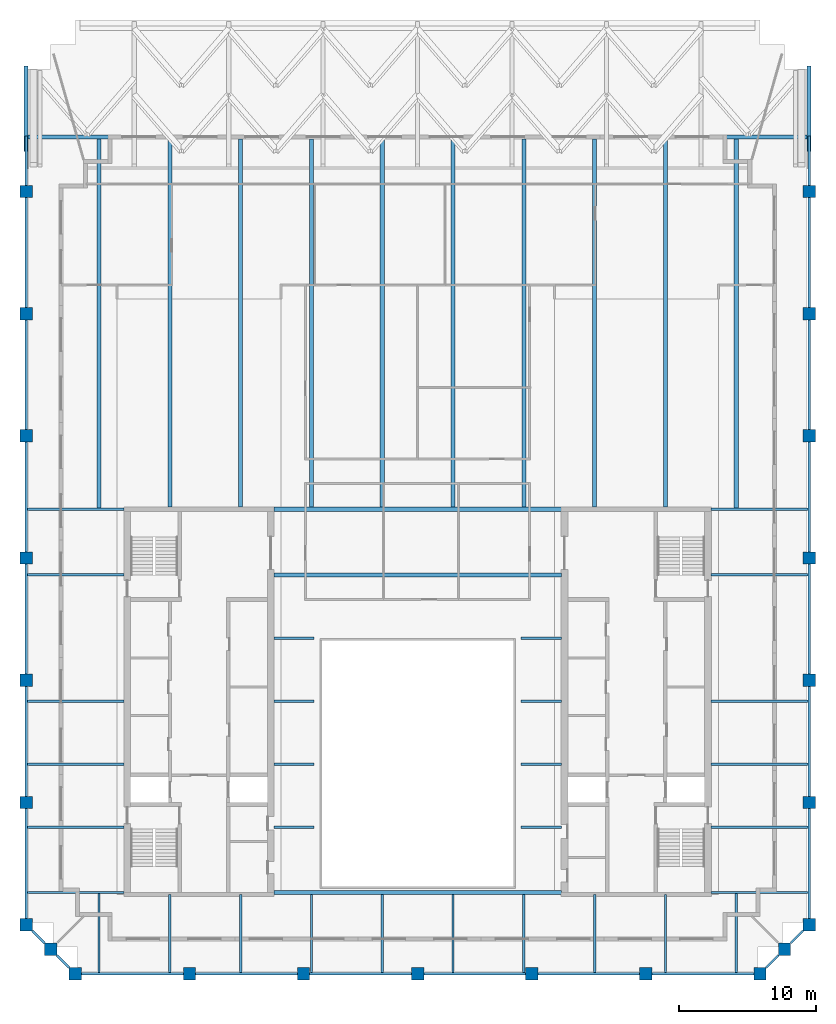
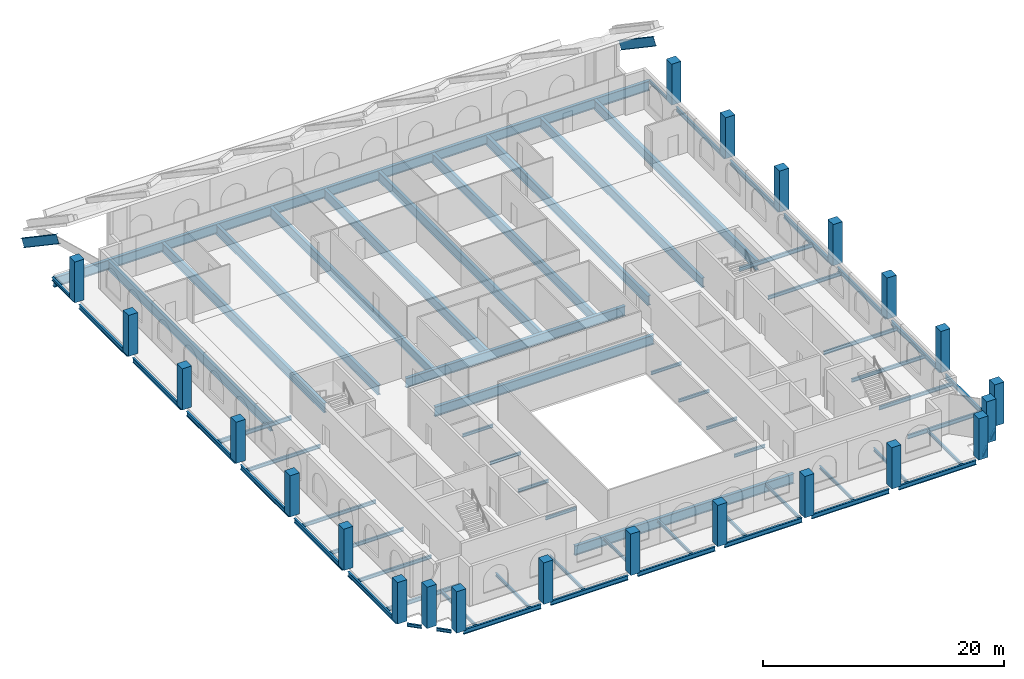
# One storey, part 1 of 10: 70 beams, 23 columns.
"""IFC4 building model written with IfcOpenShell, lengths in metres."""

from ifc_helpers import new_model, si_unit, direction, frame, origin, origin_2d, place, context, subcontext, project, spatial, rectangle, i_section, extrude, material, material_profile, profile_set, type_object, element, save


model = new_model("IFC4")

# Units and contexts
model_context = context("Model", 3, precision=1e-05, world=origin(), true_north=direction((0.0, 1.0)))
body_context = subcontext(model_context, "Body", "Model", "MODEL_VIEW")
ifc_project = project(units=[si_unit("LENGTHUNIT", "METRE"), si_unit("AREAUNIT", "SQUARE_METRE"), si_unit("VOLUMEUNIT", "CUBIC_METRE"), si_unit("PLANEANGLEUNIT", "RADIAN"), si_unit("MASSUNIT", "GRAM", prefix="KILO")], contexts=[model_context])

# Site, building, storey
site_placement = place(None, origin())
site = spatial("IfcSite", under=ifc_project, at=site_placement, CompositionType="ELEMENT")
building_placement = place(site_placement, origin())
building = spatial("IfcBuilding", under=site, at=building_placement, Name="Ogive Exchange Tower", CompositionType="ELEMENT")
storey_placement = place(building_placement, frame((0.0, 0.0, 369.0)))
storey = spatial("IfcBuildingStorey", under=building, at=storey_placement, Name="C01", CompositionType="ELEMENT", Elevation=369.0)

# Columns
ifc_material_1 = material(Name="Precast concrete C70/85 (limestone faced)", Category="masonry")
ifc_material_profile_1 = material_profile(ifc_material_1, rectangle(XDim=0.89990234375, YDim=0.89990234375, at=origin_2d()), Name="900 x 900")
ifc_profile_set_1 = profile_set([ifc_material_profile_1], Name="Precast concrete C70/85 (limestone faced)")
column_type = type_object("IfcColumnType", Name="Precast exoskeleton leg 900 x 900 C70/85", PredefinedType="COLUMN", material=ifc_profile_set_1)
for number, where, z_axis, x_axis, name in (
    (1, (-25.050048828125, -8.39990234375, 0.0), (0.0, 0.0, 1.0), (1.0, 0.0, 0.0), "Crown leg 1"),
    (2, (-16.699951171875, -8.39990234375, 0.0), (0.0, 0.0, 1.0), (1.0, 0.0, 0.0), "Crown leg 2"),
    (3, (-8.35009765625, -8.39990234375, 0.0), (0.0, 0.0, 1.0), (1.0, 0.0, 0.0), "Crown leg 3"),
    (4, (0.0, -8.39990234375, 0.0), (0.0, 0.0, 1.0), (1.0, 0.0, 0.0), "Crown leg 4"),
    (5, (8.35009765625, -8.39990234375, 0.0), (0.0, 0.0, 1.0), (1.0, 0.0, 0.0), "Crown leg 5"),
    (6, (16.699951171875, -8.39990234375, 0.0), (0.0, 0.0, 1.0), (1.0, 0.0, 0.0), "Crown leg 6"),
    (7, (25.050048828125, -8.39990234375, 0.0), (0.0, 0.0, 1.0), (1.0, 0.0, 0.0), "Crown leg 7"),
    (8, (28.64990234375, -4.800048828125, 0.0), (0.0, 0.0, 1.0), (1.0, 0.0, 0.0), "Crown leg 8"),
):
    element("IfcColumn", number, at=place(storey_placement, frame(where, z_axis=z_axis, x_axis=x_axis)), inside=storey, type_object=column_type, Name=name, PredefinedType="COLUMN", context=body_context, shape_type="SweptSolid", body=[
        extrude(rectangle(XDim=0.89990234375, YDim=0.89990234375, at=origin_2d()), origin(), (0.0, 0.0, 1.0), 4.199951171875),
    ])
column_1_placement = place(storey_placement, frame((28.64990234375, 4.142822265625, 0.009521484375), z_axis=(0.0, 0.0, 1.0), x_axis=(1.0, 0.0, 0.0)))
element("IfcColumn", 9, at=column_1_placement, inside=storey, type_object=column_type, Name="Crown leg 9", PredefinedType="COLUMN", context=body_context, shape_type="SweptSolid", body=[
    extrude(rectangle(XDim=0.89990234375, YDim=0.89990234375, at=origin_2d()), origin(), (0.0, 0.0, 1.0), 4.1904296875),
])
column_2_placement = place(storey_placement, frame((28.64990234375, 13.085693359375, 0.01611328125), z_axis=(0.0, 0.0, 1.0), x_axis=(1.0, 0.0, 0.0)))
element("IfcColumn", 10, at=column_2_placement, inside=storey, type_object=column_type, Name="Crown leg 10", PredefinedType="COLUMN", context=body_context, shape_type="SweptSolid", body=[
    extrude(rectangle(XDim=0.89990234375, YDim=0.89990234375, at=origin_2d()), origin(), (0.0, 0.0, 1.0), 4.183837890625),
])
column_3_placement = place(storey_placement, frame((28.64990234375, 22.028564453125, 0.0224609375), z_axis=(0.0, 0.0, 1.0), x_axis=(1.0, 0.0, 0.0)))
element("IfcColumn", 11, at=column_3_placement, inside=storey, type_object=column_type, Name="Crown leg 11", PredefinedType="COLUMN", context=body_context, shape_type="SweptSolid", body=[
    extrude(rectangle(XDim=0.89990234375, YDim=0.89990234375, at=origin_2d()), origin(), (0.0, 0.0, 1.0), 4.177490234375),
])
column_4_placement = place(storey_placement, frame((28.64990234375, 30.971435546875, 0.029052734375), z_axis=(0.0, 0.0, 1.0), x_axis=(1.0, 0.0, 0.0)))
element("IfcColumn", 12, at=column_4_placement, inside=storey, type_object=column_type, Name="Crown leg 12", PredefinedType="COLUMN", context=body_context, shape_type="SweptSolid", body=[
    extrude(rectangle(XDim=0.89990234375, YDim=0.89990234375, at=origin_2d()), origin(), (0.0, 0.0, 1.0), 4.1708984375),
])
column_5_placement = place(storey_placement, frame((28.64990234375, 39.914306640625, 0.035400390625), z_axis=(0.0, 0.0, 1.0), x_axis=(1.0, 0.0, 0.0)))
element("IfcColumn", 13, at=column_5_placement, inside=storey, type_object=column_type, Name="Crown leg 13", PredefinedType="COLUMN", context=body_context, shape_type="SweptSolid", body=[
    extrude(rectangle(XDim=0.89990234375, YDim=0.89990234375, at=origin_2d()), origin(), (0.0, 0.0, 1.0), 4.16455078125),
])
for number, where, z_axis, x_axis, name in (
    (14, (28.64990234375, 48.857177734375, 0.0419921875), (0.0, 0.0, 1.0), (1.0, 0.0, 0.0), "Crown leg 14"),
    (15, (-28.64990234375, 48.857177734375, 0.0419921875), (0.0, 0.0, 1.0), (1.0, 0.0, 0.0), "Crown leg 24"),
):
    element("IfcColumn", number, at=place(storey_placement, frame(where, z_axis=z_axis, x_axis=x_axis)), inside=storey, type_object=column_type, Name=name, PredefinedType="COLUMN", context=body_context, shape_type="SweptSolid", body=[
        extrude(rectangle(XDim=0.89990234375, YDim=0.89990234375, at=origin_2d()), origin(), (0.0, 0.0, 1.0), 4.157958984375),
    ])
column_6_placement = place(storey_placement, frame((-28.64990234375, 39.914306640625, 0.035400390625), z_axis=(0.0, 0.0, 1.0), x_axis=(1.0, 0.0, 0.0)))
element("IfcColumn", 16, at=column_6_placement, inside=storey, type_object=column_type, Name="Crown leg 25", PredefinedType="COLUMN", context=body_context, shape_type="SweptSolid", body=[
    extrude(rectangle(XDim=0.89990234375, YDim=0.89990234375, at=origin_2d()), origin(), (0.0, 0.0, 1.0), 4.16455078125),
])
column_7_placement = place(storey_placement, frame((-28.64990234375, 30.971435546875, 0.029052734375), z_axis=(0.0, 0.0, 1.0), x_axis=(1.0, 0.0, 0.0)))
element("IfcColumn", 17, at=column_7_placement, inside=storey, type_object=column_type, Name="Crown leg 26", PredefinedType="COLUMN", context=body_context, shape_type="SweptSolid", body=[
    extrude(rectangle(XDim=0.89990234375, YDim=0.89990234375, at=origin_2d()), origin(), (0.0, 0.0, 1.0), 4.1708984375),
])
column_8_placement = place(storey_placement, frame((-28.64990234375, 22.028564453125, 0.0224609375), z_axis=(0.0, 0.0, 1.0), x_axis=(1.0, 0.0, 0.0)))
element("IfcColumn", 18, at=column_8_placement, inside=storey, type_object=column_type, Name="Crown leg 27", PredefinedType="COLUMN", context=body_context, shape_type="SweptSolid", body=[
    extrude(rectangle(XDim=0.89990234375, YDim=0.89990234375, at=origin_2d()), origin(), (0.0, 0.0, 1.0), 4.177490234375),
])
column_9_placement = place(storey_placement, frame((-28.64990234375, 13.085693359375, 0.01611328125), z_axis=(0.0, 0.0, 1.0), x_axis=(1.0, 0.0, 0.0)))
element("IfcColumn", 19, at=column_9_placement, inside=storey, type_object=column_type, Name="Crown leg 28", PredefinedType="COLUMN", context=body_context, shape_type="SweptSolid", body=[
    extrude(rectangle(XDim=0.89990234375, YDim=0.89990234375, at=origin_2d()), origin(), (0.0, 0.0, 1.0), 4.183837890625),
])
column_10_placement = place(storey_placement, frame((-28.64990234375, 4.142822265625, 0.009521484375), z_axis=(0.0, 0.0, 1.0), x_axis=(1.0, 0.0, 0.0)))
element("IfcColumn", 20, at=column_10_placement, inside=storey, type_object=column_type, Name="Crown leg 29", PredefinedType="COLUMN", context=body_context, shape_type="SweptSolid", body=[
    extrude(rectangle(XDim=0.89990234375, YDim=0.89990234375, at=origin_2d()), origin(), (0.0, 0.0, 1.0), 4.1904296875),
])
for number, where, z_axis, x_axis, name in (
    (21, (-28.64990234375, -4.800048828125, 0.0), (0.0, 0.0, 1.0), (1.0, 0.0, 0.0), "Crown leg 30"),
    (22, (26.85009765625, -6.60009765625, 0.0), (0.0, 0.0, 1.0), (1.0, 0.0, 0.0), "Crown leg 31"),
    (23, (-26.85009765625, -6.60009765625, 0.0), (0.0, 0.0, 1.0), (1.0, 0.0, 0.0), "Crown leg 34"),
):
    element("IfcColumn", number, at=place(storey_placement, frame(where, z_axis=z_axis, x_axis=x_axis)), inside=storey, type_object=column_type, Name=name, PredefinedType="COLUMN", context=body_context, shape_type="SweptSolid", body=[
        extrude(rectangle(XDim=0.89990234375, YDim=0.89990234375, at=origin_2d()), origin(), (0.0, 0.0, 1.0), 4.199951171875),
    ])

# Beams
ifc_material_2 = material(Name="Steel ASTM A992 Gr50", Category="steel")
ifc_material_profile_2 = material_profile(ifc_material_2, i_section(OverallWidth=0.2919921875, OverallDepth=0.8359375, WebThickness=0.013916015625, FlangeThickness=0.018798828125, at=origin_2d()), Name="W840x176")
ifc_profile_set_2 = profile_set([ifc_material_profile_2], Name="Steel ASTM A992 Gr50")
beam_type_1 = type_object("IfcBeamType", Name="Crown raking ring beam W840x176", PredefinedType="BEAM", material=ifc_profile_set_2)
for number, where, z_axis, x_axis, name in (
    (24, (28.64990234375, 52.025390625, 4.199951171875), (0.0, 0.829040009058, -0.55918929119), (-1.0, 0.0, 0.0), "Crown ring beam 15"),
    (25, (-28.64990234375, 57.800048828125, 0.304931640625), (0.0, -0.829040009058, 0.55918929119), (1.0, 0.0, 0.0), "Crown ring beam 26"),
):
    element("IfcBeam", number, at=place(storey_placement, frame(where, z_axis=z_axis, x_axis=x_axis)), inside=storey, type_object=beam_type_1, Name=name, PredefinedType="BEAM", context=body_context, shape_type="SweptSolid", body=[
        extrude(i_section(OverallWidth=0.2919921875, OverallDepth=0.8359375, WebThickness=0.013916015625, FlangeThickness=0.018798828125, at=origin_2d()), origin(), (0.0, 0.0, 1.0), 6.965576171875),
    ])
ifc_material_profile_3 = material_profile(ifc_material_2, i_section(OverallWidth=0.300048828125, OverallDepth=0.97998046875, WebThickness=0.0166015625, FlangeThickness=0.026123046875, at=origin_2d()), Name="W1000x249")
ifc_profile_set_3 = profile_set([ifc_material_profile_3], Name="Steel ASTM A992 Gr50")
beam_type_2 = type_object("IfcBeamType", Name="Floor beam W1000x249", PredefinedType="JOIST", material=ifc_profile_set_3)
beam_1_placement = place(storey_placement, frame((-10.52001953125, 20.797607421875, -0.68994140625), z_axis=(1.0, 0.0, 0.0), x_axis=(0.0, 1.0, 0.0)))
element("IfcBeam", 26, at=beam_1_placement, inside=storey, type_object=beam_type_2, Name="Floor beam", PredefinedType="JOIST", context=body_context, shape_type="SweptSolid", body=[
    extrude(i_section(OverallWidth=0.300048828125, OverallDepth=0.97998046875, WebThickness=0.0166015625, FlangeThickness=0.026123046875, at=origin_2d()), origin(), (0.0, 0.0, 1.0), 21.0400390625),
])
beam_2_placement = place(storey_placement, frame((-23.314208984375, 25.68408203125, -0.68994140625), z_axis=(0.0, 1.0, 0.0), x_axis=(-1.0, 0.0, 0.0)))
element("IfcBeam", 27, at=beam_2_placement, inside=storey, type_object=beam_type_2, Name="Floor beam", PredefinedType="JOIST", context=body_context, shape_type="SweptSolid", body=[
    extrude(i_section(OverallWidth=0.300048828125, OverallDepth=0.97998046875, WebThickness=0.0166015625, FlangeThickness=0.026123046875, at=origin_2d()), origin(), (0.0, 0.0, 1.0), 27.010986328125),
])
for number, where, z_axis, x_axis, name in (
    (28, (-18.13330078125, 25.75, -0.68994140625), (0.0, 1.0, 0.0), (-1.0, 0.0, 0.0), "Floor beam"),
    (29, (-12.952392578125, 25.75, -0.68994140625), (0.0, 1.0, 0.0), (-1.0, 0.0, 0.0), "Floor beam"),
):
    element("IfcBeam", number, at=place(storey_placement, frame(where, z_axis=z_axis, x_axis=x_axis)), inside=storey, type_object=beam_type_2, Name=name, PredefinedType="JOIST", context=body_context, shape_type="SweptSolid", body=[
        extrude(i_section(OverallWidth=0.300048828125, OverallDepth=0.97998046875, WebThickness=0.0166015625, FlangeThickness=0.026123046875, at=origin_2d()), origin(), (0.0, 0.0, 1.0), 26.945068359375),
    ])
for number, where, z_axis, x_axis, name in (
    (30, (-7.771484375, 25.7451171875, -0.68994140625), (0.0, 1.0, 0.0), (-1.0, 0.0, 0.0), "Floor beam"),
    (31, (-2.590576171875, 25.7451171875, -0.68994140625), (0.0, 1.0, 0.0), (-1.0, 0.0, 0.0), "Floor beam"),
    (32, (2.590576171875, 25.7451171875, -0.68994140625), (0.0, 1.0, 0.0), (-1.0, 0.0, 0.0), "Floor beam"),
    (33, (7.771484375, 25.7451171875, -0.68994140625), (0.0, 1.0, 0.0), (-1.0, 0.0, 0.0), "Floor beam"),
):
    element("IfcBeam", number, at=place(storey_placement, frame(where, z_axis=z_axis, x_axis=x_axis)), inside=storey, type_object=beam_type_2, Name=name, PredefinedType="JOIST", context=body_context, shape_type="SweptSolid", body=[
        extrude(i_section(OverallWidth=0.300048828125, OverallDepth=0.97998046875, WebThickness=0.0166015625, FlangeThickness=0.026123046875, at=origin_2d()), origin(), (0.0, 0.0, 1.0), 26.949951171875),
    ])
for number, where, z_axis, x_axis, name in (
    (34, (12.952392578125, 25.75, -0.68994140625), (0.0, 1.0, 0.0), (-1.0, 0.0, 0.0), "Floor beam"),
    (35, (18.13330078125, 25.75, -0.68994140625), (0.0, 1.0, 0.0), (-1.0, 0.0, 0.0), "Floor beam"),
):
    element("IfcBeam", number, at=place(storey_placement, frame(where, z_axis=z_axis, x_axis=x_axis)), inside=storey, type_object=beam_type_2, Name=name, PredefinedType="JOIST", context=body_context, shape_type="SweptSolid", body=[
        extrude(i_section(OverallWidth=0.300048828125, OverallDepth=0.97998046875, WebThickness=0.0166015625, FlangeThickness=0.026123046875, at=origin_2d()), origin(), (0.0, 0.0, 1.0), 26.945068359375),
    ])
beam_3_placement = place(storey_placement, frame((23.314208984375, 25.68408203125, -0.68994140625), z_axis=(0.0, 1.0, 0.0), x_axis=(-1.0, 0.0, 0.0)))
element("IfcBeam", 36, at=beam_3_placement, inside=storey, type_object=beam_type_2, Name="Floor beam", PredefinedType="JOIST", context=body_context, shape_type="SweptSolid", body=[
    extrude(i_section(OverallWidth=0.300048828125, OverallDepth=0.97998046875, WebThickness=0.0166015625, FlangeThickness=0.026123046875, at=origin_2d()), origin(), (0.0, 0.0, 1.0), 27.010986328125),
])
ifc_material_profile_4 = material_profile(ifc_material_2, i_section(OverallWidth=0.1650390625, OverallDepth=0.31005859375, WebThickness=0.005859375, FlangeThickness=0.009765625, at=origin_2d()), Name="W310x38.7")
ifc_profile_set_4 = profile_set([ifc_material_profile_4], Name="Steel ASTM A992 Gr50")
beam_type_3 = type_object("IfcBeamType", Name="Floor beam W310x38.7", PredefinedType="JOIST", material=ifc_profile_set_4)
for number, where, z_axis, x_axis, name in (
    (37, (-10.52001953125, 2.3212890625, -0.35498046875), (1.0, 0.0, 0.0), (0.0, 1.0, 0.0), "Floor beam"),
    (38, (7.570068359375, 2.3212890625, -0.35498046875), (1.0, 0.0, 0.0), (0.0, 1.0, 0.0), "Floor beam"),
    (39, (-10.52001953125, 6.9326171875, -0.35498046875), (1.0, 0.0, 0.0), (0.0, 1.0, 0.0), "Floor beam"),
    (40, (7.570068359375, 6.9326171875, -0.35498046875), (1.0, 0.0, 0.0), (0.0, 1.0, 0.0), "Floor beam"),
    (41, (-10.52001953125, 11.543701171875, -0.35498046875), (1.0, 0.0, 0.0), (0.0, 1.0, 0.0), "Floor beam"),
    (42, (7.570068359375, 11.543701171875, -0.35498046875), (1.0, 0.0, 0.0), (0.0, 1.0, 0.0), "Floor beam"),
):
    element("IfcBeam", number, at=place(storey_placement, frame(where, z_axis=z_axis, x_axis=x_axis)), inside=storey, type_object=beam_type_3, Name=name, PredefinedType="JOIST", context=body_context, shape_type="SweptSolid", body=[
        extrude(i_section(OverallWidth=0.1650390625, OverallDepth=0.31005859375, WebThickness=0.005859375, FlangeThickness=0.009765625, at=origin_2d()), origin(), (0.0, 0.0, 1.0), 2.949951171875),
    ])
beam_4_placement = place(storey_placement, frame((-23.314208984375, -8.304443359375, -0.35498046875), z_axis=(0.0, 1.0, 0.0), x_axis=(-1.0, 0.0, 0.0)))
element("IfcBeam", 43, at=beam_4_placement, inside=storey, type_object=beam_type_3, Name="Floor beam", PredefinedType="JOIST", context=body_context, shape_type="SweptSolid", body=[
    extrude(i_section(OverallWidth=0.1650390625, OverallDepth=0.31005859375, WebThickness=0.005859375, FlangeThickness=0.009765625, at=origin_2d()), origin(), (0.0, 0.0, 1.0), 5.7705078125),
])
for number, where, z_axis, x_axis, name in (
    (44, (-18.13330078125, -8.304443359375, -0.35498046875), (0.0, 1.0, 0.0), (-1.0, 0.0, 0.0), "Floor beam"),
    (45, (-12.952392578125, -8.304443359375, -0.35498046875), (0.0, 1.0, 0.0), (-1.0, 0.0, 0.0), "Floor beam"),
):
    element("IfcBeam", number, at=place(storey_placement, frame(where, z_axis=z_axis, x_axis=x_axis)), inside=storey, type_object=beam_type_3, Name=name, PredefinedType="JOIST", context=body_context, shape_type="SweptSolid", body=[
        extrude(i_section(OverallWidth=0.1650390625, OverallDepth=0.31005859375, WebThickness=0.005859375, FlangeThickness=0.009765625, at=origin_2d()), origin(), (0.0, 0.0, 1.0), 5.704345703125),
    ])
for number, where, z_axis, x_axis, name in (
    (46, (-7.771484375, -8.304443359375, -0.35498046875), (0.0, 1.0, 0.0), (-1.0, 0.0, 0.0), "Floor beam"),
    (47, (-2.590576171875, -8.304443359375, -0.35498046875), (0.0, 1.0, 0.0), (-1.0, 0.0, 0.0), "Floor beam"),
    (48, (2.590576171875, -8.304443359375, -0.35498046875), (0.0, 1.0, 0.0), (-1.0, 0.0, 0.0), "Floor beam"),
    (49, (7.771484375, -8.304443359375, -0.35498046875), (0.0, 1.0, 0.0), (-1.0, 0.0, 0.0), "Floor beam"),
):
    element("IfcBeam", number, at=place(storey_placement, frame(where, z_axis=z_axis, x_axis=x_axis)), inside=storey, type_object=beam_type_3, Name=name, PredefinedType="JOIST", context=body_context, shape_type="SweptSolid", body=[
        extrude(i_section(OverallWidth=0.1650390625, OverallDepth=0.31005859375, WebThickness=0.005859375, FlangeThickness=0.009765625, at=origin_2d()), origin(), (0.0, 0.0, 1.0), 5.70947265625),
    ])
for number, where, z_axis, x_axis, name in (
    (50, (12.952392578125, -8.304443359375, -0.35498046875), (0.0, 1.0, 0.0), (-1.0, 0.0, 0.0), "Floor beam"),
    (51, (18.13330078125, -8.304443359375, -0.35498046875), (0.0, 1.0, 0.0), (-1.0, 0.0, 0.0), "Floor beam"),
):
    element("IfcBeam", number, at=place(storey_placement, frame(where, z_axis=z_axis, x_axis=x_axis)), inside=storey, type_object=beam_type_3, Name=name, PredefinedType="JOIST", context=body_context, shape_type="SweptSolid", body=[
        extrude(i_section(OverallWidth=0.1650390625, OverallDepth=0.31005859375, WebThickness=0.005859375, FlangeThickness=0.009765625, at=origin_2d()), origin(), (0.0, 0.0, 1.0), 5.704345703125),
    ])
beam_5_placement = place(storey_placement, frame((23.314208984375, -8.304443359375, -0.35498046875), z_axis=(0.0, 1.0, 0.0), x_axis=(-1.0, 0.0, 0.0)))
element("IfcBeam", 52, at=beam_5_placement, inside=storey, type_object=beam_type_3, Name="Floor beam", PredefinedType="JOIST", context=body_context, shape_type="SweptSolid", body=[
    extrude(i_section(OverallWidth=0.1650390625, OverallDepth=0.31005859375, WebThickness=0.005859375, FlangeThickness=0.009765625, at=origin_2d()), origin(), (0.0, 0.0, 1.0), 5.7705078125),
])
ifc_material_profile_5 = material_profile(ifc_material_2, i_section(OverallWidth=0.1708984375, OverallDepth=0.35595703125, WebThickness=0.00732421875, FlangeThickness=0.01171875, at=origin_2d()), Name="W360x51")
ifc_profile_set_5 = profile_set([ifc_material_profile_5], Name="Steel ASTM A992 Gr50")
beam_type_4 = type_object("IfcBeamType", Name="Floor beam W360x51", PredefinedType="JOIST", material=ifc_profile_set_5)
for number, where, z_axis, x_axis, name in (
    (53, (-28.554443359375, 2.3212890625, -0.3779296875), (1.0, 0.0, 0.0), (0.0, 1.0, 0.0), "Floor beam"),
    (54, (21.47998046875, 2.3212890625, -0.3779296875), (1.0, 0.0, 0.0), (0.0, 1.0, 0.0), "Floor beam"),
    (55, (-28.554443359375, 6.9326171875, -0.3779296875), (1.0, 0.0, 0.0), (0.0, 1.0, 0.0), "Floor beam"),
    (56, (21.47998046875, 6.9326171875, -0.3779296875), (1.0, 0.0, 0.0), (0.0, 1.0, 0.0), "Floor beam"),
    (57, (-28.554443359375, 11.543701171875, -0.3779296875), (1.0, 0.0, 0.0), (0.0, 1.0, 0.0), "Floor beam"),
    (58, (21.47998046875, 11.543701171875, -0.3779296875), (1.0, 0.0, 0.0), (0.0, 1.0, 0.0), "Floor beam"),
    (59, (-28.554443359375, 20.797607421875, -0.3779296875), (1.0, 0.0, 0.0), (0.0, 1.0, 0.0), "Floor beam"),
    (60, (21.47998046875, 20.797607421875, -0.3779296875), (1.0, 0.0, 0.0), (0.0, 1.0, 0.0), "Floor beam"),
):
    element("IfcBeam", number, at=place(storey_placement, frame(where, z_axis=z_axis, x_axis=x_axis)), inside=storey, type_object=beam_type_4, Name=name, PredefinedType="JOIST", context=body_context, shape_type="SweptSolid", body=[
        extrude(i_section(OverallWidth=0.1708984375, OverallDepth=0.35595703125, WebThickness=0.00732421875, FlangeThickness=0.01171875, at=origin_2d()), origin(), (0.0, 0.0, 1.0), 7.074462890625),
    ])
ifc_material_profile_6 = material_profile(ifc_material_2, i_section(OverallWidth=0.300048828125, OverallDepth=0.97998046875, WebThickness=0.0166015625, FlangeThickness=0.026123046875, at=origin_2d()), Name="W1000x249")
ifc_profile_set_6 = profile_set([ifc_material_profile_6], Name="Steel ASTM A992 Gr50")
beam_type_5 = type_object("IfcBeamType", Name="Girder W1000x249", PredefinedType="BEAM", material=ifc_profile_set_6)
beam_6_placement = place(storey_placement, frame((-28.5673828125, 52.844970703125, -0.68994140625), z_axis=(1.0, 0.0, 0.0), x_axis=(0.0, 1.0, 0.0)))
element("IfcBeam", 61, at=beam_6_placement, inside=storey, type_object=beam_type_5, Name="Trimmer girder", PredefinedType="BEAM", context=body_context, shape_type="SweptSolid", body=[
    extrude(i_section(OverallWidth=0.300048828125, OverallDepth=0.97998046875, WebThickness=0.0166015625, FlangeThickness=0.026123046875, at=origin_2d()), origin(), (0.0, 0.0, 1.0), 57.134765625),
])
for number, where, z_axis, x_axis, name in (
    (62, (-10.52001953125, -2.445068359375, -0.68994140625), (1.0, 0.0, 0.0), (0.0, 1.0, 0.0), "Header girder"),
    (63, (-10.52001953125, 25.594970703125, -0.68994140625), (1.0, 0.0, 0.0), (0.0, 1.0, 0.0), "Header girder"),
):
    element("IfcBeam", number, at=place(storey_placement, frame(where, z_axis=z_axis, x_axis=x_axis)), inside=storey, type_object=beam_type_5, Name=name, PredefinedType="BEAM", context=body_context, shape_type="SweptSolid", body=[
        extrude(i_section(OverallWidth=0.300048828125, OverallDepth=0.97998046875, WebThickness=0.0166015625, FlangeThickness=0.026123046875, at=origin_2d()), origin(), (0.0, 0.0, 1.0), 21.0400390625),
    ])
ifc_material_profile_7 = material_profile(ifc_material_2, i_section(OverallWidth=0.1650390625, OverallDepth=0.31005859375, WebThickness=0.005859375, FlangeThickness=0.009765625, at=origin_2d()), Name="W310x38.7")
ifc_profile_set_7 = profile_set([ifc_material_profile_7], Name="Steel ASTM A992 Gr50")
beam_type_6 = type_object("IfcBeamType", Name="Girder W310x38.7", PredefinedType="BEAM", material=ifc_profile_set_7)
for number, where, z_axis, x_axis, name in (
    (64, (28.64990234375, 49.30712890625, -0.35498046875), (0.0, 1.0, 0.0), (-1.0, 0.0, 0.0), "Girder"),
    (65, (-28.64990234375, 52.905029296875, -0.35498046875), (0.0, -1.0, 0.0), (1.0, 0.0, 0.0), "Girder"),
):
    element("IfcBeam", number, at=place(storey_placement, frame(where, z_axis=z_axis, x_axis=x_axis)), inside=storey, type_object=beam_type_6, Name=name, PredefinedType="BEAM", context=body_context, shape_type="SweptSolid", body=[
        extrude(i_section(OverallWidth=0.1650390625, OverallDepth=0.31005859375, WebThickness=0.005859375, FlangeThickness=0.009765625, at=origin_2d()), origin(), (0.0, 0.0, 1.0), 3.597900390625),
    ])
for number, where, z_axis, x_axis, name in (
    (66, (-28.199951171875, -5.25, -0.35498046875), (0.707106781187, -0.707106781187, 0.0), (0.707106781187, 0.707106781187, 0.0), "Girder"),
    (67, (-26.39990234375, -7.050048828125, -0.35498046875), (0.707106781187, -0.707106781187, 0.0), (0.707106781187, 0.707106781187, 0.0), "Girder"),
    (68, (25.5, -7.949951171875, -0.35498046875), (0.707106781187, 0.707106781187, 0.0), (-0.707106781187, 0.707106781187, 0.0), "Girder"),
    (69, (27.300048828125, -6.14990234375, -0.35498046875), (0.707106781187, 0.707106781187, 0.0), (-0.707106781187, 0.707106781187, 0.0), "Girder"),
):
    element("IfcBeam", number, at=place(storey_placement, frame(where, z_axis=z_axis, x_axis=x_axis)), inside=storey, type_object=beam_type_6, Name=name, PredefinedType="BEAM", context=body_context, shape_type="SweptSolid", body=[
        extrude(i_section(OverallWidth=0.1650390625, OverallDepth=0.31005859375, WebThickness=0.005859375, FlangeThickness=0.009765625, at=origin_2d()), origin(), (0.0, 0.0, 1.0), 1.272705078125),
    ])
for number, where, z_axis, x_axis, name in (
    (70, (-10.52001953125, 16.155029296875, -0.35498046875), (1.0, 0.0, 0.0), (0.0, 1.0, 0.0), "Trimmer girder"),
    (71, (7.570068359375, 16.155029296875, -0.35498046875), (1.0, 0.0, 0.0), (0.0, 1.0, 0.0), "Trimmer girder"),
):
    element("IfcBeam", number, at=place(storey_placement, frame(where, z_axis=z_axis, x_axis=x_axis)), inside=storey, type_object=beam_type_6, Name=name, PredefinedType="BEAM", context=body_context, shape_type="SweptSolid", body=[
        extrude(i_section(OverallWidth=0.1650390625, OverallDepth=0.31005859375, WebThickness=0.005859375, FlangeThickness=0.009765625, at=origin_2d()), origin(), (0.0, 0.0, 1.0), 2.949951171875),
    ])
ifc_material_profile_8 = material_profile(ifc_material_2, i_section(OverallWidth=0.177978515625, OverallDepth=0.406005859375, WebThickness=0.0078125, FlangeThickness=0.0126953125, at=origin_2d()), Name="W410x60")
ifc_profile_set_8 = profile_set([ifc_material_profile_8], Name="Steel ASTM A992 Gr50")
beam_type_7 = type_object("IfcBeamType", Name="Girder W410x60", PredefinedType="BEAM", material=ifc_profile_set_8)
for number, where, z_axis, x_axis, name in (
    (72, (-28.554443359375, -2.445068359375, -0.403076171875), (1.0, 0.0, 0.0), (0.0, 1.0, 0.0), "Header girder"),
    (73, (21.47998046875, -2.445068359375, -0.403076171875), (1.0, 0.0, 0.0), (0.0, 1.0, 0.0), "Header girder"),
    (74, (-28.554443359375, 25.594970703125, -0.403076171875), (1.0, 0.0, 0.0), (0.0, 1.0, 0.0), "Header girder"),
    (75, (21.47998046875, 25.594970703125, -0.403076171875), (1.0, 0.0, 0.0), (0.0, 1.0, 0.0), "Header girder"),
):
    element("IfcBeam", number, at=place(storey_placement, frame(where, z_axis=z_axis, x_axis=x_axis)), inside=storey, type_object=beam_type_7, Name=name, PredefinedType="BEAM", context=body_context, shape_type="SweptSolid", body=[
        extrude(i_section(OverallWidth=0.177978515625, OverallDepth=0.406005859375, WebThickness=0.0078125, FlangeThickness=0.0126953125, at=origin_2d()), origin(), (0.0, 0.0, 1.0), 7.074462890625),
    ])
ifc_material_profile_9 = material_profile(ifc_material_2, i_section(OverallWidth=0.19091796875, OverallDepth=0.45703125, WebThickness=0.009033203125, FlangeThickness=0.014404296875, at=origin_2d()), Name="W460x74")
ifc_profile_set_9 = profile_set([ifc_material_profile_9], Name="Steel ASTM A992 Gr50")
beam_type_8 = type_object("IfcBeamType", Name="Girder W460x74", PredefinedType="BEAM", material=ifc_profile_set_9)
beam_7_placement = place(storey_placement, frame((28.64990234375, 31.42138671875, -0.428466796875), z_axis=(0.0, 1.0, 0.0), x_axis=(-1.0, 0.0, 0.0)))
element("IfcBeam", 76, at=beam_7_placement, inside=storey, type_object=beam_type_8, Name="Girder", PredefinedType="BEAM", context=body_context, shape_type="SweptSolid", body=[
    extrude(i_section(OverallWidth=0.19091796875, OverallDepth=0.45703125, WebThickness=0.009033203125, FlangeThickness=0.014404296875, at=origin_2d()), origin(), (0.0, 0.0, 1.0), 8.04296875),
])
for number, where, z_axis, x_axis, name in (
    (77, (28.64990234375, 40.3642578125, -0.428466796875), (0.0, 1.0, 0.0), (-1.0, 0.0, 0.0), "Girder"),
    (78, (-28.64990234375, 48.406982421875, -0.428466796875), (0.0, -1.0, 0.0), (1.0, 0.0, 0.0), "Girder"),
):
    element("IfcBeam", number, at=place(storey_placement, frame(where, z_axis=z_axis, x_axis=x_axis)), inside=storey, type_object=beam_type_8, Name=name, PredefinedType="BEAM", context=body_context, shape_type="SweptSolid", body=[
        extrude(i_section(OverallWidth=0.19091796875, OverallDepth=0.45703125, WebThickness=0.009033203125, FlangeThickness=0.014404296875, at=origin_2d()), origin(), (0.0, 0.0, 1.0), 8.042724609375),
    ])
for number, where, z_axis, x_axis, name in (
    (79, (-28.64990234375, 39.46435546875, -0.428466796875), (0.0, -1.0, 0.0), (1.0, 0.0, 0.0), "Girder"),
    (80, (-28.64990234375, 30.521484375, -0.428466796875), (0.0, -1.0, 0.0), (1.0, 0.0, 0.0), "Girder"),
    (81, (-28.64990234375, 21.57861328125, -0.428466796875), (0.0, -1.0, 0.0), (1.0, 0.0, 0.0), "Girder"),
):
    element("IfcBeam", number, at=place(storey_placement, frame(where, z_axis=z_axis, x_axis=x_axis)), inside=storey, type_object=beam_type_8, Name=name, PredefinedType="BEAM", context=body_context, shape_type="SweptSolid", body=[
        extrude(i_section(OverallWidth=0.19091796875, OverallDepth=0.45703125, WebThickness=0.009033203125, FlangeThickness=0.014404296875, at=origin_2d()), origin(), (0.0, 0.0, 1.0), 8.04296875),
    ])
beam_8_placement = place(storey_placement, frame((-28.64990234375, 12.6357421875, -0.428466796875), z_axis=(0.0, -1.0, 0.0), x_axis=(1.0, 0.0, 0.0)))
element("IfcBeam", 82, at=beam_8_placement, inside=storey, type_object=beam_type_8, Name="Girder", PredefinedType="BEAM", context=body_context, shape_type="SweptSolid", body=[
    extrude(i_section(OverallWidth=0.19091796875, OverallDepth=0.45703125, WebThickness=0.009033203125, FlangeThickness=0.014404296875, at=origin_2d()), origin(), (0.0, 0.0, 1.0), 8.042724609375),
])
beam_9_placement = place(storey_placement, frame((-28.64990234375, 3.69287109375, -0.428466796875), z_axis=(0.0, -1.0, 0.0), x_axis=(1.0, 0.0, 0.0)))
element("IfcBeam", 83, at=beam_9_placement, inside=storey, type_object=beam_type_8, Name="Girder", PredefinedType="BEAM", context=body_context, shape_type="SweptSolid", body=[
    extrude(i_section(OverallWidth=0.19091796875, OverallDepth=0.45703125, WebThickness=0.009033203125, FlangeThickness=0.014404296875, at=origin_2d()), origin(), (0.0, 0.0, 1.0), 8.04296875),
])
beam_10_placement = place(storey_placement, frame((-24.60009765625, -8.39990234375, -0.428466796875), z_axis=(1.0, 0.0, 0.0), x_axis=(0.0, 1.0, 0.0)))
element("IfcBeam", 84, at=beam_10_placement, inside=storey, type_object=beam_type_8, Name="Girder", PredefinedType="BEAM", context=body_context, shape_type="SweptSolid", body=[
    extrude(i_section(OverallWidth=0.19091796875, OverallDepth=0.45703125, WebThickness=0.009033203125, FlangeThickness=0.014404296875, at=origin_2d()), origin(), (0.0, 0.0, 1.0), 7.4501953125),
])
for number, where, z_axis, x_axis, name in (
    (85, (-16.25, -8.39990234375, -0.428466796875), (1.0, 0.0, 0.0), (0.0, 1.0, 0.0), "Girder"),
    (86, (-7.89990234375, -8.39990234375, -0.428466796875), (1.0, 0.0, 0.0), (0.0, 1.0, 0.0), "Girder"),
    (87, (0.449951171875, -8.39990234375, -0.428466796875), (1.0, 0.0, 0.0), (0.0, 1.0, 0.0), "Girder"),
    (88, (8.800048828125, -8.39990234375, -0.428466796875), (1.0, 0.0, 0.0), (0.0, 1.0, 0.0), "Girder"),
):
    element("IfcBeam", number, at=place(storey_placement, frame(where, z_axis=z_axis, x_axis=x_axis)), inside=storey, type_object=beam_type_8, Name=name, PredefinedType="BEAM", context=body_context, shape_type="SweptSolid", body=[
        extrude(i_section(OverallWidth=0.19091796875, OverallDepth=0.45703125, WebThickness=0.009033203125, FlangeThickness=0.014404296875, at=origin_2d()), origin(), (0.0, 0.0, 1.0), 7.449951171875),
    ])
beam_11_placement = place(storey_placement, frame((17.14990234375, -8.39990234375, -0.428466796875), z_axis=(1.0, 0.0, 0.0), x_axis=(0.0, 1.0, 0.0)))
element("IfcBeam", 89, at=beam_11_placement, inside=storey, type_object=beam_type_8, Name="Girder", PredefinedType="BEAM", context=body_context, shape_type="SweptSolid", body=[
    extrude(i_section(OverallWidth=0.19091796875, OverallDepth=0.45703125, WebThickness=0.009033203125, FlangeThickness=0.014404296875, at=origin_2d()), origin(), (0.0, 0.0, 1.0), 7.4501953125),
])
beam_12_placement = place(storey_placement, frame((28.64990234375, -4.35009765625, -0.428466796875), z_axis=(0.0, 1.0, 0.0), x_axis=(-1.0, 0.0, 0.0)))
element("IfcBeam", 90, at=beam_12_placement, inside=storey, type_object=beam_type_8, Name="Girder", PredefinedType="BEAM", context=body_context, shape_type="SweptSolid", body=[
    extrude(i_section(OverallWidth=0.19091796875, OverallDepth=0.45703125, WebThickness=0.009033203125, FlangeThickness=0.014404296875, at=origin_2d()), origin(), (0.0, 0.0, 1.0), 8.04296875),
])
beam_13_placement = place(storey_placement, frame((28.64990234375, 4.593017578125, -0.428466796875), z_axis=(0.0, 1.0, 0.0), x_axis=(-1.0, 0.0, 0.0)))
element("IfcBeam", 91, at=beam_13_placement, inside=storey, type_object=beam_type_8, Name="Girder", PredefinedType="BEAM", context=body_context, shape_type="SweptSolid", body=[
    extrude(i_section(OverallWidth=0.19091796875, OverallDepth=0.45703125, WebThickness=0.009033203125, FlangeThickness=0.014404296875, at=origin_2d()), origin(), (0.0, 0.0, 1.0), 8.042724609375),
])
for number, where, z_axis, x_axis, name in (
    (92, (28.64990234375, 13.53564453125, -0.428466796875), (0.0, 1.0, 0.0), (-1.0, 0.0, 0.0), "Girder"),
    (93, (28.64990234375, 22.478515625, -0.428466796875), (0.0, 1.0, 0.0), (-1.0, 0.0, 0.0), "Girder"),
):
    element("IfcBeam", number, at=place(storey_placement, frame(where, z_axis=z_axis, x_axis=x_axis)), inside=storey, type_object=beam_type_8, Name=name, PredefinedType="BEAM", context=body_context, shape_type="SweptSolid", body=[
        extrude(i_section(OverallWidth=0.19091796875, OverallDepth=0.45703125, WebThickness=0.009033203125, FlangeThickness=0.014404296875, at=origin_2d()), origin(), (0.0, 0.0, 1.0), 8.04296875),
    ])

save(model, "model.ifc")
